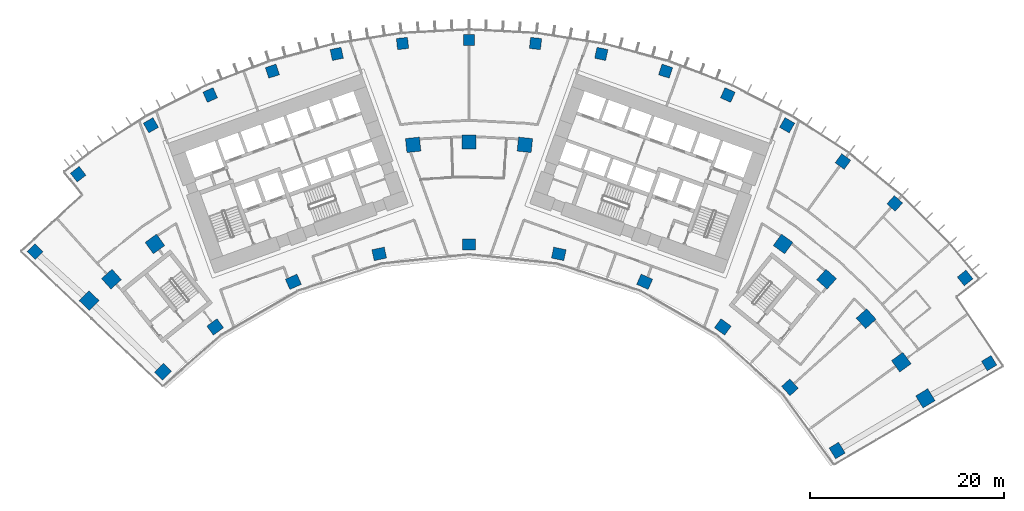
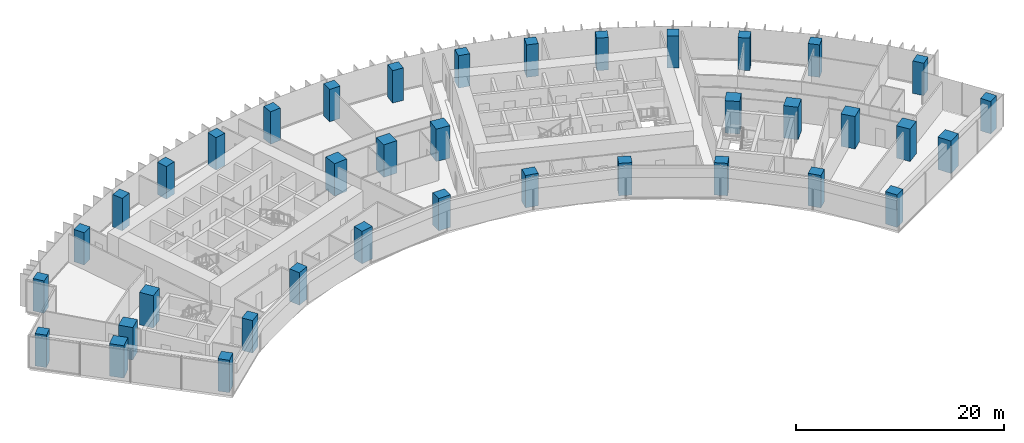
# One storey, part 1 of 22: 38 columns.
"""IFC4 building model written with IfcOpenShell, lengths in metres."""

from ifc_helpers import new_model, si_unit, direction, frame, origin, origin_2d, place, context, subcontext, project, spatial, rectangle, extrude, material, material_profile, profile_set, type_object, element, save


model = new_model("IFC4")

# Units and contexts
model_context = context("Model", 3, precision=1e-05, world=origin(), true_north=direction((0.0, 1.0)))
body_context = subcontext(model_context, "Body", "Model", "MODEL_VIEW")
ifc_project = project(units=[si_unit("LENGTHUNIT", "METRE"), si_unit("AREAUNIT", "SQUARE_METRE"), si_unit("VOLUMEUNIT", "CUBIC_METRE"), si_unit("PLANEANGLEUNIT", "RADIAN"), si_unit("MASSUNIT", "GRAM", prefix="KILO")], contexts=[model_context])

# Site, building, storey
site_placement = place(None, origin())
site = spatial("IfcSite", under=ifc_project, at=site_placement, CompositionType="ELEMENT")
building_placement = place(site_placement, origin())
building = spatial("IfcBuilding", under=site, at=building_placement, Name="Stone Belt Terrace Tower", CompositionType="ELEMENT")
storey_placement = place(building_placement, frame((0.0, 0.0, 132.60009765625)))
storey = spatial("IfcBuildingStorey", under=building, at=storey_placement, Name="L32", CompositionType="ELEMENT", Elevation=132.60009765625)

# Columns
ifc_material = material(Name="Concrete B80", Category="concrete")
ifc_material_profile_1 = material_profile(ifc_material, rectangle(XDim=1.14990234375, YDim=1.14990234375, at=origin_2d()), Name="RC 1150x1150")
ifc_profile_set_1 = profile_set([ifc_material_profile_1], Name="Concrete B80")
column_type_1 = type_object("IfcColumnType", Name="Column RC 1150x1150 B80", PredefinedType="COLUMN", material=ifc_profile_set_1)
for number, where, z_axis, x_axis, name in (
    (1, (-44.660400390625, 43.70703125, 0.0), (0.0, 0.0, 1.0), (0.699437600403, 0.714693670842, 0.0), "Column L32 RA"),
    (2, (53.53662109375, 32.228515625, 0.0), (0.0, 0.0, 1.0), (0.515750011733, -0.856739123303, 0.0), "Column L32 RB"),
    (3, (-40.231201171875, 51.674560546875, 0.0), (0.0, 0.0, 1.0), (0.789057280835, 0.614319629803, 0.0), "Column L32 RNA"),
    (4, (-32.744384765625, 56.715087890625, 0.0), (0.0, 0.0, 1.0), (0.866025403784, 0.5, 0.0), "Column L32 R17"),
    (5, (-26.63671875, 59.8271484375, 0.0), (0.0, 0.0, 1.0), (0.913545457643, 0.406736643076, 0.0), "Column L32 R18"),
    (6, (-20.2373046875, 62.28369140625, 0.0), (0.0, 0.0, 1.0), (0.951056516295, 0.309016994375, 0.0), "Column L32 R19"),
    (7, (-13.615966796875, 64.057861328125, 0.0), (0.0, 0.0, 1.0), (0.978147600734, 0.207911690818, 0.0), "Column L32 R20"),
    (8, (-6.845458984375, 65.130126953125, 0.0), (0.0, 0.0, 1.0), (0.994521895368, 0.104528463268, 0.0), "Column L32 R21"),
    (9, (0.0, 65.489013671875, 0.0), (0.0, 0.0, 1.0), (1.0, 0.0, 0.0), "Column L32 R22"),
    (10, (6.845458984375, 65.130126953125, 0.0), (0.0, 0.0, 1.0), (0.994521895368, -0.104528463268, 0.0), "Column L32 R23"),
    (11, (13.615966796875, 64.057861328125, 0.0), (0.0, 0.0, 1.0), (0.978147600734, -0.207911690818, 0.0), "Column L32 R24"),
    (12, (20.2373046875, 62.28369140625, 0.0), (0.0, 0.0, 1.0), (0.951056516295, -0.309016994375, 0.0), "Column L32 R25"),
    (13, (26.63671875, 59.8271484375, 0.0), (0.0, 0.0, 1.0), (0.913545457643, -0.406736643076, 0.0), "Column L32 R26"),
    (14, (32.744384765625, 56.715087890625, 0.0), (0.0, 0.0, 1.0), (0.866025403784, -0.5, 0.0), "Column L32 R27"),
    (15, (38.493408203125, 52.981689453125, 0.0), (0.0, 0.0, 1.0), (0.809016994375, -0.587785252292, 0.0), "Column L32 R28"),
    (16, (43.820556640625, 48.667724609375, 0.0), (0.0, 0.0, 1.0), (0.743144825477, -0.669130606359, 0.0), "Column L32 R29"),
    (17, (51.064208984375, 41.002685546875, 0.0), (0.0, 0.0, 1.0), (0.626104488961, -0.779739167224, 0.0), "Column L32 RNB"),
):
    element("IfcColumn", number, at=place(storey_placement, frame(where, z_axis=z_axis, x_axis=x_axis)), inside=storey, type_object=column_type_1, Name=name, PredefinedType="COLUMN", context=body_context, shape_type="SweptSolid", body=[
        extrude(rectangle(XDim=1.14990234375, YDim=1.14990234375, at=origin_2d()), origin(), (0.0, 0.0, 1.0), 3.7998046875),
    ])
ifc_material_profile_2 = material_profile(ifc_material, rectangle(XDim=1.300048828125, YDim=1.14990234375, at=origin_2d()), Name="RC 1300x1150")
ifc_profile_set_2 = profile_set([ifc_material_profile_2], Name="Concrete B80")
column_type_2 = type_object("IfcColumnType", Name="Column RC 1300x1150 B80", PredefinedType="COLUMN", material=ifc_profile_set_2)
for number, where, z_axis, x_axis, name in (
    (18, (-31.5078125, 31.3466796875, 0.0), (0.0, 0.0, 1.0), (0.705293990601, 0.708914936239, 0.0), "Column L32 PA"),
    (19, (-26.1240234375, 35.956787109375, 0.0), (0.0, 0.0, 1.0), (0.809016994375, 0.587785252292, 0.0), "Column L32 P16"),
    (20, (-18.077392578125, 40.6025390625, 0.0), (0.0, 0.0, 1.0), (0.913545457643, 0.406736643076, 0.0), "Column L32 P18"),
    (21, (-9.240478515625, 43.473876953125, 0.0), (0.0, 0.0, 1.0), (0.978147600734, 0.207911690818, 0.0), "Column L32 P20"),
    (22, (0.0, 44.445068359375, 0.0), (0.0, 0.0, 1.0), (1.0, 0.0, 0.0), "Column L32 P22"),
    (23, (9.240478515625, 43.473876953125, 0.0), (0.0, 0.0, 1.0), (0.978147600734, -0.207911690818, 0.0), "Column L32 P24"),
    (24, (18.077392578125, 40.6025390625, 0.0), (0.0, 0.0, 1.0), (0.913545457643, -0.406736643076, 0.0), "Column L32 P26"),
    (25, (26.1240234375, 35.956787109375, 0.0), (0.0, 0.0, 1.0), (0.809016994375, -0.587785252292, 0.0), "Column L32 P28"),
    (26, (33.029052734375, 29.739501953125, 0.0), (0.0, 0.0, 1.0), (0.669130606359, -0.743144825477, 0.0), "Column L32 P30"),
    (27, (37.887939453125, 23.235107421875, 0.0), (0.0, 0.0, 1.0), (0.522781282168, -0.852466850391, 0.0), "Column L32 PB"),
):
    element("IfcColumn", number, at=place(storey_placement, frame(where, z_axis=z_axis, x_axis=x_axis)), inside=storey, type_object=column_type_2, Name=name, PredefinedType="COLUMN", context=body_context, shape_type="SweptSolid", body=[
        extrude(rectangle(XDim=1.300048828125, YDim=1.14990234375, at=origin_2d()), origin(), (0.0, 0.0, 1.0), 3.7998046875),
    ])
ifc_material_profile_3 = material_profile(ifc_material, rectangle(XDim=1.449951171875, YDim=1.449951171875, at=origin_2d()), Name="RC 1450x1450")
ifc_profile_set_3 = profile_set([ifc_material_profile_3], Name="Concrete B80")
column_type_3 = type_object("IfcColumnType", Name="Column RC 1450x1450 B80", PredefinedType="COLUMN", material=ifc_profile_set_3)
for number, where, z_axis, x_axis, name in (
    (28, (-39.108154296875, 38.67236328125, 0.0), (0.0, 0.0, 1.0), (0.703134133957, 0.711057233748, 0.0), "Column L32 QA"),
    (29, (-36.80224609375, 40.873046875, 0.0), (0.0, 0.0, 1.0), (0.743144825477, 0.669130606359, 0.0), "Column L32 Q15"),
    (30, (-32.328125, 44.495849609375, 0.0), (0.0, 0.0, 1.0), (0.809016994375, 0.587785252292, 0.0), "Column L32 Q16"),
    (31, (-5.7490234375, 54.69873046875, 0.0), (0.0, 0.0, 1.0), (0.994521895368, 0.104528463268, 0.0), "Column L32 Q21"),
    (32, (0.0, 55.0, 0.0), (0.0, 0.0, 1.0), (1.0, 0.0, 0.0), "Column L32 Q22"),
    (33, (5.7490234375, 54.69873046875, 0.0), (0.0, 0.0, 1.0), (0.994521895368, -0.104528463268, 0.0), "Column L32 Q23"),
    (34, (32.328125, 44.495849609375, 0.0), (0.0, 0.0, 1.0), (0.809016994375, -0.587785252292, 0.0), "Column L32 Q28"),
    (35, (36.80224609375, 40.873046875, 0.0), (0.0, 0.0, 1.0), (0.743144825477, -0.669130606359, 0.0), "Column L32 Q29"),
    (36, (40.873046875, 36.80224609375, 0.0), (0.0, 0.0, 1.0), (0.669130606359, -0.743144825477, 0.0), "Column L32 Q30"),
    (37, (44.495849609375, 32.328125, 0.0), (0.0, 0.0, 1.0), (0.587785252292, -0.809016994375, 0.0), "Column L32 Q31"),
    (38, (46.972900390625, 28.610107421875, 0.0), (0.0, 0.0, 1.0), (0.520185570168, -0.854053260979, 0.0), "Column L32 QB"),
):
    element("IfcColumn", number, at=place(storey_placement, frame(where, z_axis=z_axis, x_axis=x_axis)), inside=storey, type_object=column_type_3, Name=name, PredefinedType="COLUMN", context=body_context, shape_type="SweptSolid", body=[
        extrude(rectangle(XDim=1.449951171875, YDim=1.449951171875, at=origin_2d()), origin(), (0.0, 0.0, 1.0), 3.7998046875),
    ])

save(model, "model.ifc")
